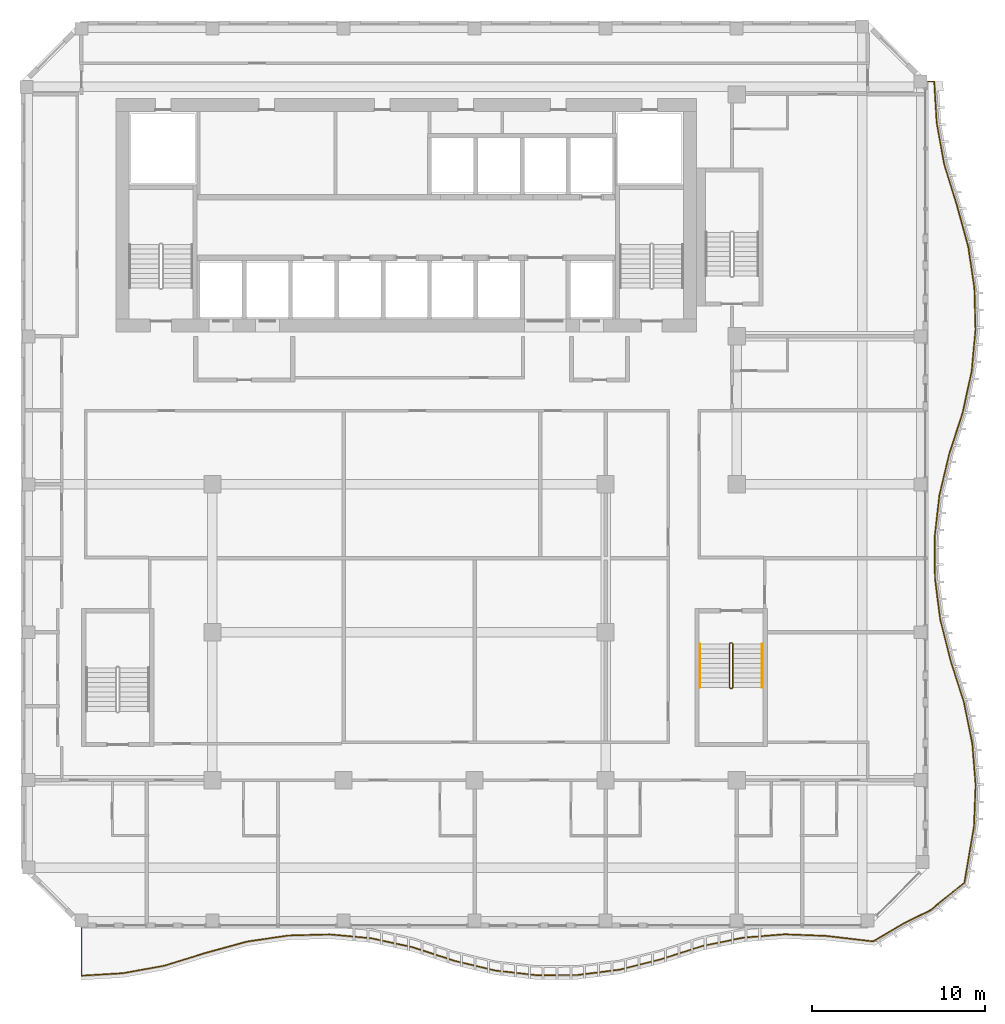
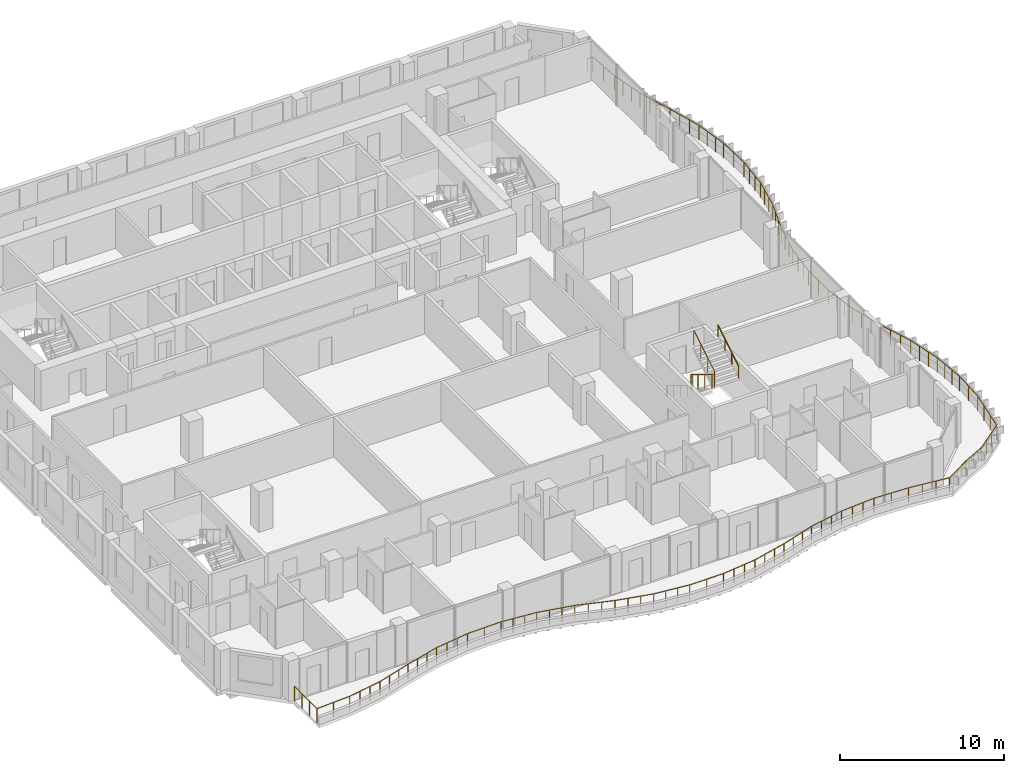
# One storey, part 21 of 22: 4 railings.
"""IFC4 building model written with IfcOpenShell, lengths in metres."""

import ifcopenshell
import ifcopenshell.guid

model = None  # the IFC model being written
_history = None  # IfcOwnerHistory: only IFC2X3 demands one
_inside = {}  # id of a spatial element -> (the spatial element, [elements in it])
_under = {}  # id of a project, library or spatial element -> (it, [spatial elements below it])
_declared = {}  # id of a project -> (the project, [libraries it declares])
_typed = {}  # id of a type object -> (the type object, [elements of that type])
_made_of = {}  # id of a material, layer set ... -> (it, [elements and type objects made of it])


def new_model(schema):
    """Start an empty IFC model of exactly this schema.

    Asked for "IFC4X3", IfcOpenShell would pick the latest addendum, in which some entities
    have other attributes; the version numbers below select the first issue.
    IFC2X3 requires an IfcOwnerHistory on every rooted entity: one is made here for all.
    """
    global model, _history
    if schema == "IFC4X3":
        model = ifcopenshell.file(schema_version=(4, 3, 0, 0))
    else:
        model = ifcopenshell.file(schema=schema)
    _inside.clear()
    _under.clear()
    _declared.clear()
    _typed.clear()
    _made_of.clear()
    _history = None
    if model.schema == "IFC2X3":
        org = make("IfcOrganization", Name="unknown")
        user = make(
            "IfcPersonAndOrganization",
            ThePerson=make("IfcPerson", FamilyName="unknown"),
            TheOrganization=org,
        )
        app = make(
            "IfcApplication",
            ApplicationDeveloper=org,
            Version="unknown",
            ApplicationFullName="unknown",
            ApplicationIdentifier="unknown",
        )
        _history = make(
            "IfcOwnerHistory",
            OwningUser=user,
            OwningApplication=app,
            ChangeAction="ADDED",
            CreationDate=0,
        )
    return model


def make(cls, **values):
    """One entity of the class cls with the attributes given. An attribute that is None is left unset."""
    return model.create_entity(
        cls, **{name: value for name, value in values.items() if value is not None}
    )


def rooted(cls, **values):
    """An entity with a GlobalId (a new one), such as an element, a storey or a relation."""
    return make(cls, GlobalId=ifcopenshell.guid.new(), OwnerHistory=_history, **values)


def si_unit(unit_type, name, prefix=None):
    """IfcSIUnit, for example si_unit("LENGTHUNIT", "METRE", prefix="MILLI")."""
    return make("IfcSIUnit", UnitType=unit_type, Prefix=prefix, Name=name)


def assignment(units):
    """IfcUnitAssignment: the units of a project."""
    return None if units is None else make("IfcUnitAssignment", Units=units)


def point(xyz):
    """IfcCartesianPoint."""
    return None if xyz is None else make("IfcCartesianPoint", Coordinates=xyz)


def direction(xyz):
    """IfcDirection."""
    return None if xyz is None else make("IfcDirection", DirectionRatios=xyz)


def frame(location, z_axis=None, x_axis=None):
    """IfcAxis2Placement3D, a coordinate frame: its origin and axes. An axis left out is left unset."""
    return make(
        "IfcAxis2Placement3D",
        Location=point(location),
        Axis=direction(z_axis),
        RefDirection=direction(x_axis),
    )


def frame_2d(location, x_axis=None):
    """IfcAxis2Placement2D, a coordinate frame in the plane: its origin and x axis."""
    return make(
        "IfcAxis2Placement2D", Location=point(location), RefDirection=direction(x_axis)
    )


def origin():
    """The frame at (0, 0, 0) with its axes left unset."""
    return frame((0.0, 0.0, 0.0))


def origin_2d():
    """The frame at (0, 0) in the plane with its x axis left unset."""
    return frame_2d((0.0, 0.0))


def place(relative_to, where):
    """IfcLocalPlacement: puts the frame where relative to a parent placement (None: the world)."""
    return make(
        "IfcLocalPlacement", PlacementRelTo=relative_to, RelativePlacement=where
    )


def context(
    kind, dimensions, precision=None, world=None, true_north=None, identifier=None
):
    """IfcGeometricRepresentationContext, for example the 3D "Model" context."""
    return make(
        "IfcGeometricRepresentationContext",
        ContextIdentifier=identifier,
        ContextType=kind,
        CoordinateSpaceDimension=dimensions,
        Precision=precision,
        WorldCoordinateSystem=world,
        TrueNorth=true_north,
    )


def subcontext(parent, identifier, kind, view, scale=None):
    """IfcGeometricRepresentationSubContext, for example "Body" below "Model"."""
    return make(
        "IfcGeometricRepresentationSubContext",
        ContextIdentifier=identifier,
        ContextType=kind,
        ParentContext=parent,
        TargetScale=scale,
        TargetView=view,
    )


def project(units=None, contexts=None):
    """IfcProject with its units and contexts."""
    return rooted(
        "IfcProject",
        Name="project",
        RepresentationContexts=contexts,
        UnitsInContext=assignment(units),
    )


def spatial(cls, under=None, at=None, **own):
    """A site, building, storey or space (cls), placed at a placement, below another one or the project."""
    s = rooted(cls, ObjectPlacement=at, **own)
    if under is not None:
        _under.setdefault(under.id(), (under, []))[1].append(s)
    return s


def profile(cls, at=None, kind="AREA", **sizes):
    """A parametric profile (cls). Its sizes go by their IFC names, for example OverallWidth=200.0."""
    return make(cls, ProfileType=kind, Position=at, **sizes)


def circle(**sizes):
    """IfcCircleProfileDef."""
    return profile("IfcCircleProfileDef", **sizes)


def extrude(swept, where, along, depth):
    """IfcExtrudedAreaSolid: the profile swept, set in the frame where, extruded along a direction by depth."""
    return make(
        "IfcExtrudedAreaSolid",
        SweptArea=swept,
        Position=where,
        ExtrudedDirection=direction(along),
        Depth=depth,
    )


def shape(context_of_items, identifier, shape_type, items):
    """IfcShapeRepresentation: the items that make up one representation, for example the "Body"."""
    return make(
        "IfcShapeRepresentation",
        ContextOfItems=context_of_items,
        RepresentationIdentifier=identifier,
        RepresentationType=shape_type,
        Items=items,
    )


def material(Name=None, Category=None):
    """IfcMaterial."""
    return make("IfcMaterial", Name=Name, Category=Category)


def made_of(thing, what):
    """Note that an element or type object is made of a material, layer set ...; save() writes the relation."""
    if what is not None:
        _made_of.setdefault(what.id(), (what, []))[1].append(thing)
    return thing


def type_object(cls, material=None, **own):
    """A type object (cls), such as IfcWallType, which elements share."""
    return made_of(rooted(cls, **own), material)


def element(
    cls,
    number,
    at=None,
    inside=None,
    cuts=None,
    type_object=None,
    material=None,
    context=None,
    identifier="Body",
    shape_type=None,
    held_by="IfcProductDefinitionShape",
    body=None,
    shapes=None,
    **own,
):
    """One element of the class cls, such as IfcWall. Its Tag is "e" and its number.

    at: its placement. inside: the storey or other place that contains it. cuts: it is an
    opening in that element (IfcRelVoidsElement). A single representation is given by context,
    identifier, shape_type and body (its items); several are given by shapes. held_by: the class
    of the entity that holds the representations. save() writes the other relations.
    """
    e = rooted(cls, Tag="e%d" % number, ObjectPlacement=at, **own)
    if body is not None:
        shapes = [shape(context, identifier, shape_type, body)]
    if shapes is not None:
        e.Representation = make(held_by, Representations=shapes)
    if inside is not None:
        _inside.setdefault(inside.id(), (inside, []))[1].append(e)
    if cuts is not None:
        rooted(
            "IfcRelVoidsElement", RelatingBuildingElement=cuts, RelatedOpeningElement=e
        )
    if type_object is not None:
        _typed.setdefault(type_object.id(), (type_object, []))[1].append(e)
    return made_of(e, material)


def aggregate(whole, parts):
    """IfcRelAggregates: a whole, such as a stair, and the parts it consists of."""
    return rooted("IfcRelAggregates", RelatingObject=whole, RelatedObjects=parts)


def save(model, path):
    """Write the relations noted so far, then the file.

    IfcRelAggregates (storeys below a building ...), IfcRelContainedInSpatialStructure (elements
    in a storey), IfcRelDefinesByType, IfcRelAssociatesMaterial and IfcRelDeclares: one each for
    every whole, place, type object, material and project.
    """
    for whole, parts in _under.values():
        aggregate(whole, parts)
    for where, things in _inside.values():
        rooted(
            "IfcRelContainedInSpatialStructure",
            RelatedElements=things,
            RelatingStructure=where,
        )
    for kind, things in _typed.values():
        rooted("IfcRelDefinesByType", RelatedObjects=things, RelatingType=kind)
    for what, things in _made_of.values():
        rooted("IfcRelAssociatesMaterial", RelatedObjects=things, RelatingMaterial=what)
    for by, libraries in _declared.values():
        rooted("IfcRelDeclares", RelatingContext=by, RelatedDefinitions=libraries)
    model.write(path)


model = new_model("IFC4")

# Units and contexts
model_context = context("Model", 3, precision=1e-05, world=origin(), true_north=direction((0.0, 1.0)))
body_context = subcontext(model_context, "Body", "Model", "MODEL_VIEW")
ifc_project = project(units=[si_unit("LENGTHUNIT", "METRE"), si_unit("AREAUNIT", "SQUARE_METRE"), si_unit("VOLUMEUNIT", "CUBIC_METRE"), si_unit("PLANEANGLEUNIT", "RADIAN"), si_unit("MASSUNIT", "GRAM", prefix="KILO")], contexts=[model_context])

# Site, building, storey
site_placement = place(None, origin())
site = spatial("IfcSite", under=ifc_project, at=site_placement, CompositionType="ELEMENT")
building_placement = place(site_placement, origin())
building = spatial("IfcBuilding", under=site, at=building_placement, Name="Kilnfold Tower and Market Hall", CompositionType="ELEMENT")
storey_placement = place(building_placement, frame((0.0, 0.0, 220.300048828125)))
storey = spatial("IfcBuildingStorey", under=building, at=storey_placement, Name="L54", CompositionType="ELEMENT", Elevation=220.300048828125)

# Railings
ifc_material_1 = material(Name="Stainless steel 316", Category="steel")
railing_type_1 = type_object("IfcRailingType", Name="CORE STAIR GUARD 1100", PredefinedType="GUARDRAIL", material=ifc_material_1)
railing_1_placement = place(storey_placement, frame((19.89990234375, -9.75, 0.0)))
element("IfcRailing", 1, at=railing_1_placement, inside=storey, type_object=railing_type_1, Name="L54 ST4 stair guard 1", PredefinedType="GUARDRAIL", context=body_context, shape_type="SweptSolid", body=[
    extrude(circle(Radius=0.02392578125, at=origin_2d()), frame((0.0, 0.0, 1.076171875), z_axis=(-1.0, 0.0, 0.0), x_axis=(0.0, -1.0, 0.0)), (0.0, 0.0, 1.0), 0.099853515625),
    extrude(circle(Radius=0.02392578125, at=origin_2d()), frame((-0.099853515625, 0.0, 1.076171875), z_axis=(-0.271895245746, -0.271895245746, 0.923117517265), x_axis=(0.707106781187, -0.707106781187, 0.0)), (0.0, 0.0, 1.0), 0.18408203125),
    extrude(circle(Radius=0.02392578125, at=origin_2d()), frame((-0.14990234375, -0.050048828125, 1.24609375), z_axis=(0.0, -0.85478489116, 0.518982456201), x_axis=(1.0, 0.0, 0.0)), (0.0, 0.0, 1.0), 2.9482421875),
    extrude(circle(Radius=0.02392578125, at=origin_2d()), frame((-0.14990234375, -2.570068359375, 2.77587890625), z_axis=(0.707106781187, -0.707106781187, 0.0), x_axis=(0.707106781187, 0.707106781187, 0.0)), (0.0, 0.0, 1.0), 0.07080078125),
    extrude(circle(Radius=0.02392578125, at=origin_2d()), frame((-0.099853515625, -2.6201171875, 2.77587890625), z_axis=(1.0, 0.0, 0.0), x_axis=(0.0, 1.0, 0.0)), (0.0, 0.0, 1.0), 0.099853515625),
    extrude(circle(Radius=0.02392578125, at=origin_2d()), frame((0.0, -2.6201171875, 2.77587890625), z_axis=(0.271895245746, 0.271895245746, 0.923117517265), x_axis=(-0.707106781187, 0.707106781187, 0.0)), (0.0, 0.0, 1.0), 0.18408203125),
    extrude(circle(Radius=0.02392578125, at=origin_2d()), frame((0.050048828125, -2.570068359375, 2.94580078125), z_axis=(0.0, 0.85478489116, 0.518982456201), x_axis=(-1.0, 0.0, 0.0)), (0.0, 0.0, 1.0), 2.9482421875),
    extrude(circle(Radius=0.02099609375, at=origin_2d()), origin(), (0.0, 0.0, 1.0), 1.052001953125),
    extrude(circle(Radius=0.02099609375, at=origin_2d()), frame((-0.099853515625, 0.0, 0.0)), (0.0, 0.0, 1.0), 1.052001953125),
    extrude(circle(Radius=0.02099609375, at=origin_2d()), frame((-0.14990234375, -0.050048828125, 0.169921875)), (0.0, 0.0, 1.0), 1.052001953125),
    extrude(circle(Radius=0.02099609375, at=origin_2d()), frame((-0.14990234375, -0.89013671875, 0.679931640625)), (0.0, 0.0, 1.0), 1.052001953125),
    extrude(circle(Radius=0.02099609375, at=origin_2d()), frame((-0.14990234375, -1.72998046875, 1.18994140625)), (0.0, 0.0, 1.0), 1.052001953125),
    extrude(circle(Radius=0.02099609375, at=origin_2d()), frame((-0.14990234375, -2.570068359375, 1.699951171875)), (0.0, 0.0, 1.0), 1.052001953125),
    extrude(circle(Radius=0.02099609375, at=origin_2d()), frame((-0.099853515625, -2.6201171875, 1.699951171875)), (0.0, 0.0, 1.0), 1.052001953125),
    extrude(circle(Radius=0.02099609375, at=origin_2d()), frame((0.0, -2.6201171875, 1.699951171875)), (0.0, 0.0, 1.0), 1.052001953125),
    extrude(circle(Radius=0.02099609375, at=origin_2d()), frame((0.050048828125, -2.570068359375, 1.869873046875)), (0.0, 0.0, 1.0), 1.052001953125),
    extrude(circle(Radius=0.02099609375, at=origin_2d()), frame((0.050048828125, -1.72998046875, 2.3798828125)), (0.0, 0.0, 1.0), 1.052001953125),
    extrude(circle(Radius=0.02099609375, at=origin_2d()), frame((0.050048828125, -0.89013671875, 2.889892578125)), (0.0, 0.0, 1.0), 1.052001953125),
    extrude(circle(Radius=0.02099609375, at=origin_2d()), frame((0.050048828125, -0.050048828125, 3.39990234375)), (0.0, 0.0, 1.0), 1.052001953125),
])
ifc_material_2 = material(Name="Stainless steel 316", Category="steel")
railing_type_2 = type_object("IfcRailingType", Name="CORE STAIR HANDRAIL 900", PredefinedType="HANDRAIL", material=ifc_material_2)
railing_2_placement = place(storey_placement, frame((18.050048828125, -9.800048828125, 0.169921875)))
element("IfcRailing", 2, at=railing_2_placement, inside=storey, type_object=railing_type_2, Name="L54 ST4 stair handrail 1", PredefinedType="HANDRAIL", context=body_context, shape_type="SweptSolid", body=[
    extrude(circle(Radius=0.02392578125, at=origin_2d()), frame((0.0, 0.0, 0.8759765625), z_axis=(0.0, -0.85478489116, 0.518982456201), x_axis=(1.0, 0.0, 0.0)), (0.0, 0.0, 1.0), 2.9482421875),
    extrude(circle(Radius=0.02099609375, at=origin_2d()), origin(), (0.0, 0.0, 1.0), 0.851806640625),
    extrude(circle(Radius=0.02099609375, at=origin_2d()), frame((0.0, -0.840087890625, 0.510009765625)), (0.0, 0.0, 1.0), 0.851806640625),
    extrude(circle(Radius=0.02099609375, at=origin_2d()), frame((0.0, -1.679931640625, 1.02001953125)), (0.0, 0.0, 1.0), 0.851806640625),
    extrude(circle(Radius=0.02099609375, at=origin_2d()), frame((0.0, -2.52001953125, 1.530029296875)), (0.0, 0.0, 1.0), 0.851806640625),
])
railing_3_placement = place(storey_placement, frame((21.64990234375, -12.320068359375, 1.869873046875)))
element("IfcRailing", 3, at=railing_3_placement, inside=storey, type_object=railing_type_2, Name="L54 ST4 stair handrail 2", PredefinedType="HANDRAIL", context=body_context, shape_type="SweptSolid", body=[
    extrude(circle(Radius=0.02392578125, at=origin_2d()), frame((0.0, 0.0, 0.8759765625), z_axis=(0.0, 0.85478489116, 0.518982456201), x_axis=(-1.0, 0.0, 0.0)), (0.0, 0.0, 1.0), 2.9482421875),
    extrude(circle(Radius=0.02099609375, at=origin_2d()), origin(), (0.0, 0.0, 1.0), 0.851806640625),
    extrude(circle(Radius=0.02099609375, at=origin_2d()), frame((0.0, 0.840087890625, 0.510009765625)), (0.0, 0.0, 1.0), 0.851806640625),
    extrude(circle(Radius=0.02099609375, at=origin_2d()), frame((0.0, 1.679931640625, 1.02001953125)), (0.0, 0.0, 1.0), 0.851806640625),
    extrude(circle(Radius=0.02099609375, at=origin_2d()), frame((0.0, 2.52001953125, 1.530029296875)), (0.0, 0.0, 1.0), 0.851806640625),
])
ifc_material_3 = material(Name="Stainless steel and laminated glass", Category="steel")
railing_type_3 = type_object("IfcRailingType", Name="GUARD 1100", PredefinedType="GUARDRAIL", material=ifc_material_3)
railing_4_placement = place(storey_placement, frame((-17.75, -26.25, 0.0)))
element("IfcRailing", 4, at=railing_4_placement, inside=storey, type_object=railing_type_3, Name="Guard balcony L54", PredefinedType="GUARDRAIL", context=body_context, shape_type="SweptSolid", body=[
    extrude(circle(Radius=0.02490234375, at=origin_2d()), frame((0.0, 0.0, 1.0751953125), z_axis=(0.0, -1.0, 0.0), x_axis=(1.0, 0.0, 0.0)), (0.0, 0.0, 1.0), 2.75),
    extrude(circle(Radius=0.02490234375, at=origin_2d()), frame((0.0, -2.75, 1.0751953125), z_axis=(0.998232361195, 0.059431919557, 0.0), x_axis=(-0.059431919557, 0.998232361195, 0.0)), (0.0, 0.0, 1.0), 2.39892578125),
    extrude(circle(Radius=0.02490234375, at=origin_2d()), frame((2.394775390625, -2.607421875, 1.0751953125), z_axis=(0.983948458674, 0.178452880822, 0.0), x_axis=(-0.178452880822, 0.983948458674, 0.0)), (0.0, 0.0, 1.0), 2.433837890625),
    extrude(circle(Radius=0.02490234375, at=origin_2d()), frame((4.78955078125, -2.173095703125, 1.0751953125), z_axis=(0.955500538095, 0.294989358621, 0.0), x_axis=(-0.294989358621, 0.955500538095, 0.0)), (0.0, 0.0, 1.0), 2.506103515625),
    extrude(circle(Radius=0.02490234375, at=origin_2d()), frame((7.18408203125, -1.433837890625, 1.0751953125), z_axis=(0.964367964402, 0.264564603141, 0.0), x_axis=(-0.264564603141, 0.964367964402, 0.0)), (0.0, 0.0, 1.0), 2.483154296875),
    extrude(circle(Radius=0.02490234375, at=origin_2d()), frame((9.578857421875, -0.77685546875, 1.0751953125), z_axis=(0.989351874828, 0.145543353591, 0.0), x_axis=(-0.145543353591, 0.989351874828, 0.0)), (0.0, 0.0, 1.0), 2.420654296875),
    extrude(circle(Radius=0.02490234375, at=origin_2d()), frame((11.9736328125, -0.424560546875, 1.0751953125), z_axis=(0.999646189257, 0.026598802671, 0.0), x_axis=(-0.026598802671, 0.999646189257, 0.0)), (0.0, 0.0, 1.0), 2.3955078125),
    extrude(circle(Radius=0.02490234375, at=origin_2d()), frame((14.368408203125, -0.36083984375, 1.0751953125), z_axis=(0.995733595296, -0.092274629231, 0.0), x_axis=(0.092274629231, 0.995733595296, 0.0)), (0.0, 0.0, 1.0), 2.405029296875),
    extrude(circle(Radius=0.02490234375, at=origin_2d()), frame((16.76318359375, -0.582763671875, 1.0751953125), z_axis=(0.97743196343, -0.211250460034, 0.0), x_axis=(0.211250460034, 0.97743196343, 0.0)), (0.0, 0.0, 1.0), 2.449951171875),
    extrude(circle(Radius=0.02490234375, at=origin_2d()), frame((19.157958984375, -1.100341796875, 1.0751953125), z_axis=(0.95090859365, -0.309471883251, 0.0), x_axis=(0.309471883251, 0.95090859365, 0.0)), (0.0, 0.0, 1.0), 2.51806640625),
    extrude(circle(Radius=0.02490234375, at=origin_2d()), frame((21.552490234375, -1.879638671875, 1.0751953125), z_axis=(0.97282217263, -0.231553493689, 0.0), x_axis=(0.231553493689, 0.97282217263, 0.0)), (0.0, 0.0, 1.0), 2.4619140625),
    extrude(circle(Radius=0.02490234375, at=origin_2d()), frame((23.947509765625, -2.44970703125, 1.0751953125), z_axis=(0.993622807535, -0.11275511672, 0.0), x_axis=(0.11275511672, 0.993622807535, 0.0)), (0.0, 0.0, 1.0), 2.409912109375),
    extrude(circle(Radius=0.02490234375, at=origin_2d()), frame((26.342041015625, -2.721435546875, 1.0751953125), z_axis=(0.999980663957, 0.006218658426, 0.0), x_axis=(-0.006218658426, 0.999980663957, 0.0)), (0.0, 0.0, 1.0), 2.394775390625),
    extrude(circle(Radius=0.02490234375, at=origin_2d()), frame((28.73681640625, -2.70654296875, 1.0751953125), z_axis=(0.992141905522, 0.125117701818, 0.0), x_axis=(-0.125117701818, 0.992141905522, 0.0)), (0.0, 0.0, 1.0), 2.413818359375),
    extrude(circle(Radius=0.02490234375, at=origin_2d()), frame((31.131591796875, -2.404541015625, 1.0751953125), z_axis=(0.969751609907, 0.244093865313, 0.0), x_axis=(-0.244093865313, 0.969751609907, 0.0)), (0.0, 0.0, 1.0), 2.469482421875),
    extrude(circle(Radius=0.02490234375, at=origin_2d()), frame((33.5263671875, -1.8017578125, 1.0751953125), z_axis=(0.952025531735, 0.306018605521, 0.0), x_axis=(-0.306018605521, 0.952025531735, 0.0)), (0.0, 0.0, 1.0), 2.515380859375),
    extrude(circle(Radius=0.02490234375, at=origin_2d()), frame((35.921142578125, -1.031982421875, 1.0751953125), z_axis=(0.980035103749, 0.19882453425, 0.0), x_axis=(-0.19882453425, 0.980035103749, 0.0)), (0.0, 0.0, 1.0), 2.443603515625),
    extrude(circle(Radius=0.02490234375, at=origin_2d()), frame((38.31591796875, -0.546142578125, 1.0751953125), z_axis=(0.996804281858, 0.079882561739, 0.0), x_axis=(-0.079882561739, 0.996804281858, 0.0)), (0.0, 0.0, 1.0), 2.402099609375),
    extrude(circle(Radius=0.02490234375, at=origin_2d()), frame((40.71044921875, -0.354248046875, 1.0751953125), z_axis=(0.99923858427, -0.039016044222, 0.0), x_axis=(0.039016044222, 0.99923858427, 0.0)), (0.0, 0.0, 1.0), 2.396484375),
    extrude(circle(Radius=0.02490234375, at=origin_2d()), frame((43.105224609375, -0.44775390625, 1.0751953125), z_axis=(0.99312251289, -0.117079777888, 0.0), x_axis=(0.117079777888, 0.99312251289, 0.0)), (0.0, 0.0, 1.0), 2.731689453125),
    extrude(circle(Radius=0.02490234375, at=origin_2d()), frame((45.818115234375, -0.767578125, 1.0751953125), z_axis=(0.860500345603, 0.509449855449, 0.0), x_axis=(-0.509449855449, 0.860500345603, 0.0)), (0.0, 0.0, 1.0), 2.031494140625),
    extrude(circle(Radius=0.02490234375, at=origin_2d()), frame((47.566162109375, 0.267333984375, 1.0751953125), z_axis=(0.895908654093, 0.444238318386, 0.0), x_axis=(-0.444238318386, 0.895908654093, 0.0)), (0.0, 0.0, 1.0), 1.740966796875),
    extrude(circle(Radius=0.02490234375, at=origin_2d()), frame((49.1259765625, 1.040771484375, 1.0751953125), z_axis=(0.778039049363, 0.628215916438, 0.0), x_axis=(-0.628215916438, 0.778039049363, 0.0)), (0.0, 0.0, 1.0), 2.5322265625),
    extrude(circle(Radius=0.02490234375, at=origin_2d()), frame((51.09619140625, 2.631591796875, 1.0751953125), z_axis=(0.167938126131, 0.985797537931, 0.0), x_axis=(-0.985797537931, 0.167938126131, 0.0)), (0.0, 0.0, 1.0), 3.310302734375),
    extrude(circle(Radius=0.02490234375, at=origin_2d()), frame((51.652099609375, 5.894775390625, 1.0751953125), z_axis=(0.039117758111, 0.999234607587, 0.0), x_axis=(-0.999234607587, 0.039117758111, 0.0)), (0.0, 0.0, 1.0), 2.396728515625),
    extrude(circle(Radius=0.02490234375, at=origin_2d()), frame((51.745849609375, 8.28955078125, 1.0751953125), z_axis=(-0.079882561739, 0.996804281858, 0.0), x_axis=(-0.996804281858, -0.079882561739, 0.0)), (0.0, 0.0, 1.0), 2.402099609375),
    extrude(circle(Radius=0.02490234375, at=origin_2d()), frame((51.553955078125, 10.68408203125, 1.0751953125), z_axis=(-0.19882453425, 0.980035103749, 0.0), x_axis=(-0.980035103749, -0.19882453425, 0.0)), (0.0, 0.0, 1.0), 2.443603515625),
    extrude(circle(Radius=0.02490234375, at=origin_2d()), frame((51.068115234375, 13.078857421875, 1.0751953125), z_axis=(-0.306018605521, 0.952025531735, 0.0), x_axis=(-0.952025531735, -0.306018605521, 0.0)), (0.0, 0.0, 1.0), 2.515380859375),
    extrude(circle(Radius=0.02490234375, at=origin_2d()), frame((50.29833984375, 15.4736328125, 1.0751953125), z_axis=(-0.244093865313, 0.969751609907, 0.0), x_axis=(-0.969751609907, -0.244093865313, 0.0)), (0.0, 0.0, 1.0), 2.469482421875),
    extrude(circle(Radius=0.02490234375, at=origin_2d()), frame((49.695556640625, 17.868408203125, 1.0751953125), z_axis=(-0.125217262623, 0.992129344965, 0.0), x_axis=(-0.992129344965, -0.125217262623, 0.0)), (0.0, 0.0, 1.0), 2.413818359375),
    extrude(circle(Radius=0.02490234375, at=origin_2d()), frame((49.393310546875, 20.26318359375, 1.0751953125), z_axis=(-0.006218658426, 0.999980663957, 0.0), x_axis=(-0.999980663957, -0.006218658426, 0.0)), (0.0, 0.0, 1.0), 2.394775390625),
    extrude(circle(Radius=0.02490234375, at=origin_2d()), frame((49.37841796875, 22.657958984375, 1.0751953125), z_axis=(0.11275511672, 0.993622807535, 0.0), x_axis=(-0.993622807535, 0.11275511672, 0.0)), (0.0, 0.0, 1.0), 2.409912109375),
    extrude(circle(Radius=0.02490234375, at=origin_2d()), frame((49.650146484375, 25.052490234375, 1.0751953125), z_axis=(0.231647339829, 0.972799830361, 0.0), x_axis=(-0.972799830361, 0.231647339829, 0.0)), (0.0, 0.0, 1.0), 2.4619140625),
    extrude(circle(Radius=0.02490234375, at=origin_2d()), frame((50.220458984375, 27.447509765625, 1.0751953125), z_axis=(0.309384212364, 0.950937121549, 0.0), x_axis=(-0.950937121549, 0.309384212364, 0.0)), (0.0, 0.0, 1.0), 2.51806640625),
    extrude(circle(Radius=0.02490234375, at=origin_2d()), frame((50.99951171875, 29.842041015625, 1.0751953125), z_axis=(0.211250460034, 0.97743196343, 0.0), x_axis=(-0.97743196343, 0.211250460034, 0.0)), (0.0, 0.0, 1.0), 2.449951171875),
    extrude(circle(Radius=0.02490234375, at=origin_2d()), frame((51.51708984375, 32.23681640625, 1.0751953125), z_axis=(0.092375275723, 0.995724263255, 0.0), x_axis=(-0.995724263255, 0.092375275723, 0.0)), (0.0, 0.0, 1.0), 2.405029296875),
    extrude(circle(Radius=0.02490234375, at=origin_2d()), frame((51.7392578125, 34.631591796875, 1.0751953125), z_axis=(-0.026700641276, 0.999643474322, 0.0), x_axis=(-0.999643474322, -0.026700641276, 0.0)), (0.0, 0.0, 1.0), 2.3955078125),
    extrude(circle(Radius=0.02490234375, at=origin_2d()), frame((51.67529296875, 37.0263671875, 1.0751953125), z_axis=(-0.145543353591, 0.989351874828, 0.0), x_axis=(-0.989351874828, -0.145543353591, 0.0)), (0.0, 0.0, 1.0), 2.420654296875),
    extrude(circle(Radius=0.02490234375, at=origin_2d()), frame((51.322998046875, 39.421142578125, 1.0751953125), z_axis=(-0.264473166443, 0.964393044475, 0.0), x_axis=(-0.964393044475, -0.264473166443, 0.0)), (0.0, 0.0, 1.0), 2.483154296875),
    extrude(circle(Radius=0.02490234375, at=origin_2d()), frame((50.666259765625, 41.81591796875, 1.0751953125), z_axis=(-0.294989358621, 0.955500538095, 0.0), x_axis=(-0.955500538095, -0.294989358621, 0.0)), (0.0, 0.0, 1.0), 2.506103515625),
    extrude(circle(Radius=0.02490234375, at=origin_2d()), frame((49.927001953125, 44.21044921875, 1.0751953125), z_axis=(-0.178452880822, 0.983948458674, 0.0), x_axis=(-0.983948458674, -0.178452880822, 0.0)), (0.0, 0.0, 1.0), 2.433837890625),
    extrude(circle(Radius=0.02490234375, at=origin_2d()), frame((49.49267578125, 46.605224609375, 1.0751953125), z_axis=(-0.059431919557, 0.998232361195, 0.0), x_axis=(-0.998232361195, -0.059431919557, 0.0)), (0.0, 0.0, 1.0), 2.39892578125),
    extrude(circle(Radius=0.02490234375, at=origin_2d()), frame((49.35009765625, 49.0, 1.0751953125), z_axis=(-1.0, 0.0, 0.0), x_axis=(0.0, -1.0, 0.0)), (0.0, 0.0, 1.0), 0.35009765625),
    extrude(circle(Radius=0.02490234375, at=origin_2d()), origin(), (0.0, 0.0, 1.0), 1.050048828125),
    extrude(circle(Radius=0.02490234375, at=origin_2d()), frame((0.0, -0.916748046875, 0.0)), (0.0, 0.0, 1.0), 1.050048828125),
    extrude(circle(Radius=0.02490234375, at=origin_2d()), frame((0.0, -1.833251953125, 0.0)), (0.0, 0.0, 1.0), 1.050048828125),
    extrude(circle(Radius=0.02490234375, at=origin_2d()), frame((0.0, -2.75, 0.0)), (0.0, 0.0, 1.0), 1.050048828125),
    extrude(circle(Radius=0.02490234375, at=origin_2d()), frame((1.197265625, -2.6787109375, 0.0)), (0.0, 0.0, 1.0), 1.050048828125),
    extrude(circle(Radius=0.02490234375, at=origin_2d()), frame((2.394775390625, -2.607421875, 0.0)), (0.0, 0.0, 1.0), 1.050048828125),
    extrude(circle(Radius=0.02490234375, at=origin_2d()), frame((3.193115234375, -2.462646484375, 0.0)), (0.0, 0.0, 1.0), 1.050048828125),
    extrude(circle(Radius=0.02490234375, at=origin_2d()), frame((3.9912109375, -2.31787109375, 0.0)), (0.0, 0.0, 1.0), 1.050048828125),
    extrude(circle(Radius=0.02490234375, at=origin_2d()), frame((4.78955078125, -2.173095703125, 0.0)), (0.0, 0.0, 1.0), 1.050048828125),
    extrude(circle(Radius=0.02490234375, at=origin_2d()), frame((5.587646484375, -1.9267578125, 0.0)), (0.0, 0.0, 1.0), 1.050048828125),
    extrude(circle(Radius=0.02490234375, at=origin_2d()), frame((6.385986328125, -1.68017578125, 0.0)), (0.0, 0.0, 1.0), 1.050048828125),
    extrude(circle(Radius=0.02490234375, at=origin_2d()), frame((7.18408203125, -1.433837890625, 0.0)), (0.0, 0.0, 1.0), 1.050048828125),
    extrude(circle(Radius=0.02490234375, at=origin_2d()), frame((7.982421875, -1.21484375, 0.0)), (0.0, 0.0, 1.0), 1.050048828125),
    extrude(circle(Radius=0.02490234375, at=origin_2d()), frame((8.780517578125, -0.995849609375, 0.0)), (0.0, 0.0, 1.0), 1.050048828125),
    extrude(circle(Radius=0.02490234375, at=origin_2d()), frame((9.578857421875, -0.77685546875, 0.0)), (0.0, 0.0, 1.0), 1.050048828125),
    extrude(circle(Radius=0.02490234375, at=origin_2d()), frame((10.377197265625, -0.659423828125, 0.0)), (0.0, 0.0, 1.0), 1.050048828125),
    extrude(circle(Radius=0.02490234375, at=origin_2d()), frame((11.17529296875, -0.5419921875, 0.0)), (0.0, 0.0, 1.0), 1.050048828125),
    extrude(circle(Radius=0.02490234375, at=origin_2d()), frame((11.9736328125, -0.424560546875, 0.0)), (0.0, 0.0, 1.0), 1.050048828125),
    extrude(circle(Radius=0.02490234375, at=origin_2d()), frame((13.1708984375, -0.392578125, 0.0)), (0.0, 0.0, 1.0), 1.050048828125),
    extrude(circle(Radius=0.02490234375, at=origin_2d()), frame((14.368408203125, -0.36083984375, 0.0)), (0.0, 0.0, 1.0), 1.050048828125),
    extrude(circle(Radius=0.02490234375, at=origin_2d()), frame((15.166748046875, -0.434814453125, 0.0)), (0.0, 0.0, 1.0), 1.050048828125),
    extrude(circle(Radius=0.02490234375, at=origin_2d()), frame((15.96484375, -0.5087890625, 0.0)), (0.0, 0.0, 1.0), 1.050048828125),
    extrude(circle(Radius=0.02490234375, at=origin_2d()), frame((16.76318359375, -0.582763671875, 0.0)), (0.0, 0.0, 1.0), 1.050048828125),
    extrude(circle(Radius=0.02490234375, at=origin_2d()), frame((17.5615234375, -0.75537109375, 0.0)), (0.0, 0.0, 1.0), 1.050048828125),
    extrude(circle(Radius=0.02490234375, at=origin_2d()), frame((18.359619140625, -0.927734375, 0.0)), (0.0, 0.0, 1.0), 1.050048828125),
    extrude(circle(Radius=0.02490234375, at=origin_2d()), frame((19.157958984375, -1.100341796875, 0.0)), (0.0, 0.0, 1.0), 1.050048828125),
    extrude(circle(Radius=0.02490234375, at=origin_2d()), frame((19.9560546875, -1.360107421875, 0.0)), (0.0, 0.0, 1.0), 1.050048828125),
    extrude(circle(Radius=0.02490234375, at=origin_2d()), frame((20.75439453125, -1.619873046875, 0.0)), (0.0, 0.0, 1.0), 1.050048828125),
    extrude(circle(Radius=0.02490234375, at=origin_2d()), frame((21.552490234375, -1.879638671875, 0.0)), (0.0, 0.0, 1.0), 1.050048828125),
    extrude(circle(Radius=0.02490234375, at=origin_2d()), frame((22.350830078125, -2.069580078125, 0.0)), (0.0, 0.0, 1.0), 1.050048828125),
    extrude(circle(Radius=0.02490234375, at=origin_2d()), frame((23.149169921875, -2.259765625, 0.0)), (0.0, 0.0, 1.0), 1.050048828125),
    extrude(circle(Radius=0.02490234375, at=origin_2d()), frame((23.947509765625, -2.44970703125, 0.0)), (0.0, 0.0, 1.0), 1.050048828125),
    extrude(circle(Radius=0.02490234375, at=origin_2d()), frame((24.74560546875, -2.540283203125, 0.0)), (0.0, 0.0, 1.0), 1.050048828125),
    extrude(circle(Radius=0.02490234375, at=origin_2d()), frame((25.5439453125, -2.630859375, 0.0)), (0.0, 0.0, 1.0), 1.050048828125),
    extrude(circle(Radius=0.02490234375, at=origin_2d()), frame((26.342041015625, -2.721435546875, 0.0)), (0.0, 0.0, 1.0), 1.050048828125),
    extrude(circle(Radius=0.02490234375, at=origin_2d()), frame((27.53955078125, -2.7138671875, 0.0)), (0.0, 0.0, 1.0), 1.050048828125),
    extrude(circle(Radius=0.02490234375, at=origin_2d()), frame((28.73681640625, -2.70654296875, 0.0)), (0.0, 0.0, 1.0), 1.050048828125),
    extrude(circle(Radius=0.02490234375, at=origin_2d()), frame((29.53515625, -2.60595703125, 0.0)), (0.0, 0.0, 1.0), 1.050048828125),
    extrude(circle(Radius=0.02490234375, at=origin_2d()), frame((30.333251953125, -2.505126953125, 0.0)), (0.0, 0.0, 1.0), 1.050048828125),
    extrude(circle(Radius=0.02490234375, at=origin_2d()), frame((31.131591796875, -2.404541015625, 0.0)), (0.0, 0.0, 1.0), 1.050048828125),
    extrude(circle(Radius=0.02490234375, at=origin_2d()), frame((31.929931640625, -2.20361328125, 0.0)), (0.0, 0.0, 1.0), 1.050048828125),
    extrude(circle(Radius=0.02490234375, at=origin_2d()), frame((32.72802734375, -2.002685546875, 0.0)), (0.0, 0.0, 1.0), 1.050048828125),
    extrude(circle(Radius=0.02490234375, at=origin_2d()), frame((33.5263671875, -1.8017578125, 0.0)), (0.0, 0.0, 1.0), 1.050048828125),
    extrude(circle(Radius=0.02490234375, at=origin_2d()), frame((34.32470703125, -1.545166015625, 0.0)), (0.0, 0.0, 1.0), 1.050048828125),
    extrude(circle(Radius=0.02490234375, at=origin_2d()), frame((35.122802734375, -1.28857421875, 0.0)), (0.0, 0.0, 1.0), 1.050048828125),
    extrude(circle(Radius=0.02490234375, at=origin_2d()), frame((35.921142578125, -1.031982421875, 0.0)), (0.0, 0.0, 1.0), 1.050048828125),
    extrude(circle(Radius=0.02490234375, at=origin_2d()), frame((36.719482421875, -0.8701171875, 0.0)), (0.0, 0.0, 1.0), 1.050048828125),
    extrude(circle(Radius=0.02490234375, at=origin_2d()), frame((37.517578125, -0.7080078125, 0.0)), (0.0, 0.0, 1.0), 1.050048828125),
    extrude(circle(Radius=0.02490234375, at=origin_2d()), frame((38.31591796875, -0.546142578125, 0.0)), (0.0, 0.0, 1.0), 1.050048828125),
    extrude(circle(Radius=0.02490234375, at=origin_2d()), frame((39.114013671875, -0.482177734375, 0.0)), (0.0, 0.0, 1.0), 1.050048828125),
    extrude(circle(Radius=0.02490234375, at=origin_2d()), frame((39.912353515625, -0.418212890625, 0.0)), (0.0, 0.0, 1.0), 1.050048828125),
    extrude(circle(Radius=0.02490234375, at=origin_2d()), frame((40.71044921875, -0.354248046875, 0.0)), (0.0, 0.0, 1.0), 1.050048828125),
    extrude(circle(Radius=0.02490234375, at=origin_2d()), frame((41.90771484375, -0.40087890625, 0.0)), (0.0, 0.0, 1.0), 1.050048828125),
    extrude(circle(Radius=0.02490234375, at=origin_2d()), frame((43.105224609375, -0.44775390625, 0.0)), (0.0, 0.0, 1.0), 1.050048828125),
    extrude(circle(Radius=0.02490234375, at=origin_2d()), frame((44.009521484375, -0.554443359375, 0.0)), (0.0, 0.0, 1.0), 1.050048828125),
    extrude(circle(Radius=0.02490234375, at=origin_2d()), frame((44.913818359375, -0.660888671875, 0.0)), (0.0, 0.0, 1.0), 1.050048828125),
    extrude(circle(Radius=0.02490234375, at=origin_2d()), frame((45.818115234375, -0.767578125, 0.0)), (0.0, 0.0, 1.0), 1.050048828125),
    extrude(circle(Radius=0.02490234375, at=origin_2d()), frame((46.692138671875, -0.25, 0.0)), (0.0, 0.0, 1.0), 1.050048828125),
    extrude(circle(Radius=0.02490234375, at=origin_2d()), frame((47.566162109375, 0.267333984375, 0.0)), (0.0, 0.0, 1.0), 1.050048828125),
    extrude(circle(Radius=0.02490234375, at=origin_2d()), frame((48.34619140625, 0.654052734375, 0.0)), (0.0, 0.0, 1.0), 1.050048828125),
    extrude(circle(Radius=0.02490234375, at=origin_2d()), frame((49.1259765625, 1.040771484375, 0.0)), (0.0, 0.0, 1.0), 1.050048828125),
    extrude(circle(Radius=0.02490234375, at=origin_2d()), frame((49.78271484375, 1.571044921875, 0.0)), (0.0, 0.0, 1.0), 1.050048828125),
    extrude(circle(Radius=0.02490234375, at=origin_2d()), frame((50.439453125, 2.101318359375, 0.0)), (0.0, 0.0, 1.0), 1.050048828125),
    extrude(circle(Radius=0.02490234375, at=origin_2d()), frame((51.09619140625, 2.631591796875, 0.0)), (0.0, 0.0, 1.0), 1.050048828125),
    extrude(circle(Radius=0.02490234375, at=origin_2d()), frame((51.281494140625, 3.71923828125, 0.0)), (0.0, 0.0, 1.0), 1.050048828125),
    extrude(circle(Radius=0.02490234375, at=origin_2d()), frame((51.466796875, 4.80712890625, 0.0)), (0.0, 0.0, 1.0), 1.050048828125),
    extrude(circle(Radius=0.02490234375, at=origin_2d()), frame((51.652099609375, 5.894775390625, 0.0)), (0.0, 0.0, 1.0), 1.050048828125),
    extrude(circle(Radius=0.02490234375, at=origin_2d()), frame((51.698974609375, 7.09228515625, 0.0)), (0.0, 0.0, 1.0), 1.050048828125),
    extrude(circle(Radius=0.02490234375, at=origin_2d()), frame((51.745849609375, 8.28955078125, 0.0)), (0.0, 0.0, 1.0), 1.050048828125),
    extrude(circle(Radius=0.02490234375, at=origin_2d()), frame((51.681884765625, 9.087646484375, 0.0)), (0.0, 0.0, 1.0), 1.050048828125),
    extrude(circle(Radius=0.02490234375, at=origin_2d()), frame((51.617919921875, 9.885986328125, 0.0)), (0.0, 0.0, 1.0), 1.050048828125),
    extrude(circle(Radius=0.02490234375, at=origin_2d()), frame((51.553955078125, 10.68408203125, 0.0)), (0.0, 0.0, 1.0), 1.050048828125),
    extrude(circle(Radius=0.02490234375, at=origin_2d()), frame((51.39208984375, 11.482421875, 0.0)), (0.0, 0.0, 1.0), 1.050048828125),
    extrude(circle(Radius=0.02490234375, at=origin_2d()), frame((51.22998046875, 12.280517578125, 0.0)), (0.0, 0.0, 1.0), 1.050048828125),
    extrude(circle(Radius=0.02490234375, at=origin_2d()), frame((51.068115234375, 13.078857421875, 0.0)), (0.0, 0.0, 1.0), 1.050048828125),
    extrude(circle(Radius=0.02490234375, at=origin_2d()), frame((50.8115234375, 13.877197265625, 0.0)), (0.0, 0.0, 1.0), 1.050048828125),
    extrude(circle(Radius=0.02490234375, at=origin_2d()), frame((50.554931640625, 14.67529296875, 0.0)), (0.0, 0.0, 1.0), 1.050048828125),
    extrude(circle(Radius=0.02490234375, at=origin_2d()), frame((50.29833984375, 15.4736328125, 0.0)), (0.0, 0.0, 1.0), 1.050048828125),
    extrude(circle(Radius=0.02490234375, at=origin_2d()), frame((50.097412109375, 16.27197265625, 0.0)), (0.0, 0.0, 1.0), 1.050048828125),
    extrude(circle(Radius=0.02490234375, at=origin_2d()), frame((49.896484375, 17.070068359375, 0.0)), (0.0, 0.0, 1.0), 1.050048828125),
    extrude(circle(Radius=0.02490234375, at=origin_2d()), frame((49.695556640625, 17.868408203125, 0.0)), (0.0, 0.0, 1.0), 1.050048828125),
    extrude(circle(Radius=0.02490234375, at=origin_2d()), frame((49.5947265625, 18.666748046875, 0.0)), (0.0, 0.0, 1.0), 1.050048828125),
    extrude(circle(Radius=0.02490234375, at=origin_2d()), frame((49.494140625, 19.46484375, 0.0)), (0.0, 0.0, 1.0), 1.050048828125),
    extrude(circle(Radius=0.02490234375, at=origin_2d()), frame((49.393310546875, 20.26318359375, 0.0)), (0.0, 0.0, 1.0), 1.050048828125),
    extrude(circle(Radius=0.02490234375, at=origin_2d()), frame((49.3857421875, 21.46044921875, 0.0)), (0.0, 0.0, 1.0), 1.050048828125),
    extrude(circle(Radius=0.02490234375, at=origin_2d()), frame((49.37841796875, 22.657958984375, 0.0)), (0.0, 0.0, 1.0), 1.050048828125),
    extrude(circle(Radius=0.02490234375, at=origin_2d()), frame((49.468994140625, 23.4560546875, 0.0)), (0.0, 0.0, 1.0), 1.050048828125),
    extrude(circle(Radius=0.02490234375, at=origin_2d()), frame((49.5595703125, 24.25439453125, 0.0)), (0.0, 0.0, 1.0), 1.050048828125),
    extrude(circle(Radius=0.02490234375, at=origin_2d()), frame((49.650146484375, 25.052490234375, 0.0)), (0.0, 0.0, 1.0), 1.050048828125),
    extrude(circle(Radius=0.02490234375, at=origin_2d()), frame((49.84033203125, 25.850830078125, 0.0)), (0.0, 0.0, 1.0), 1.050048828125),
    extrude(circle(Radius=0.02490234375, at=origin_2d()), frame((50.0302734375, 26.649169921875, 0.0)), (0.0, 0.0, 1.0), 1.050048828125),
    extrude(circle(Radius=0.02490234375, at=origin_2d()), frame((50.220458984375, 27.447509765625, 0.0)), (0.0, 0.0, 1.0), 1.050048828125),
    extrude(circle(Radius=0.02490234375, at=origin_2d()), frame((50.480224609375, 28.24560546875, 0.0)), (0.0, 0.0, 1.0), 1.050048828125),
    extrude(circle(Radius=0.02490234375, at=origin_2d()), frame((50.73974609375, 29.0439453125, 0.0)), (0.0, 0.0, 1.0), 1.050048828125),
    extrude(circle(Radius=0.02490234375, at=origin_2d()), frame((50.99951171875, 29.842041015625, 0.0)), (0.0, 0.0, 1.0), 1.050048828125),
    extrude(circle(Radius=0.02490234375, at=origin_2d()), frame((51.172119140625, 30.640380859375, 0.0)), (0.0, 0.0, 1.0), 1.050048828125),
    extrude(circle(Radius=0.02490234375, at=origin_2d()), frame((51.344482421875, 31.4384765625, 0.0)), (0.0, 0.0, 1.0), 1.050048828125),
    extrude(circle(Radius=0.02490234375, at=origin_2d()), frame((51.51708984375, 32.23681640625, 0.0)), (0.0, 0.0, 1.0), 1.050048828125),
    extrude(circle(Radius=0.02490234375, at=origin_2d()), frame((51.591064453125, 33.03515625, 0.0)), (0.0, 0.0, 1.0), 1.050048828125),
    extrude(circle(Radius=0.02490234375, at=origin_2d()), frame((51.665283203125, 33.833251953125, 0.0)), (0.0, 0.0, 1.0), 1.050048828125),
    extrude(circle(Radius=0.02490234375, at=origin_2d()), frame((51.7392578125, 34.631591796875, 0.0)), (0.0, 0.0, 1.0), 1.050048828125),
    extrude(circle(Radius=0.02490234375, at=origin_2d()), frame((51.707275390625, 35.8291015625, 0.0)), (0.0, 0.0, 1.0), 1.050048828125),
    extrude(circle(Radius=0.02490234375, at=origin_2d()), frame((51.67529296875, 37.0263671875, 0.0)), (0.0, 0.0, 1.0), 1.050048828125),
    extrude(circle(Radius=0.02490234375, at=origin_2d()), frame((51.557861328125, 37.82470703125, 0.0)), (0.0, 0.0, 1.0), 1.050048828125),
    extrude(circle(Radius=0.02490234375, at=origin_2d()), frame((51.4404296875, 38.622802734375, 0.0)), (0.0, 0.0, 1.0), 1.050048828125),
    extrude(circle(Radius=0.02490234375, at=origin_2d()), frame((51.322998046875, 39.421142578125, 0.0)), (0.0, 0.0, 1.0), 1.050048828125),
    extrude(circle(Radius=0.02490234375, at=origin_2d()), frame((51.10400390625, 40.219482421875, 0.0)), (0.0, 0.0, 1.0), 1.050048828125),
    extrude(circle(Radius=0.02490234375, at=origin_2d()), frame((50.88525390625, 41.017578125, 0.0)), (0.0, 0.0, 1.0), 1.050048828125),
    extrude(circle(Radius=0.02490234375, at=origin_2d()), frame((50.666259765625, 41.81591796875, 0.0)), (0.0, 0.0, 1.0), 1.050048828125),
    extrude(circle(Radius=0.02490234375, at=origin_2d()), frame((50.419921875, 42.614013671875, 0.0)), (0.0, 0.0, 1.0), 1.050048828125),
    extrude(circle(Radius=0.02490234375, at=origin_2d()), frame((50.17333984375, 43.412353515625, 0.0)), (0.0, 0.0, 1.0), 1.050048828125),
    extrude(circle(Radius=0.02490234375, at=origin_2d()), frame((49.927001953125, 44.21044921875, 0.0)), (0.0, 0.0, 1.0), 1.050048828125),
    extrude(circle(Radius=0.02490234375, at=origin_2d()), frame((49.7822265625, 45.0087890625, 0.0)), (0.0, 0.0, 1.0), 1.050048828125),
    extrude(circle(Radius=0.02490234375, at=origin_2d()), frame((49.637451171875, 45.806884765625, 0.0)), (0.0, 0.0, 1.0), 1.050048828125),
    extrude(circle(Radius=0.02490234375, at=origin_2d()), frame((49.49267578125, 46.605224609375, 0.0)), (0.0, 0.0, 1.0), 1.050048828125),
    extrude(circle(Radius=0.02490234375, at=origin_2d()), frame((49.42138671875, 47.802734375, 0.0)), (0.0, 0.0, 1.0), 1.050048828125),
    extrude(circle(Radius=0.02490234375, at=origin_2d()), frame((49.35009765625, 49.0, 0.0)), (0.0, 0.0, 1.0), 1.050048828125),
    extrude(circle(Radius=0.02490234375, at=origin_2d()), frame((49.0, 49.0, 0.0)), (0.0, 0.0, 1.0), 1.050048828125),
])

save(model, "model.ifc")
